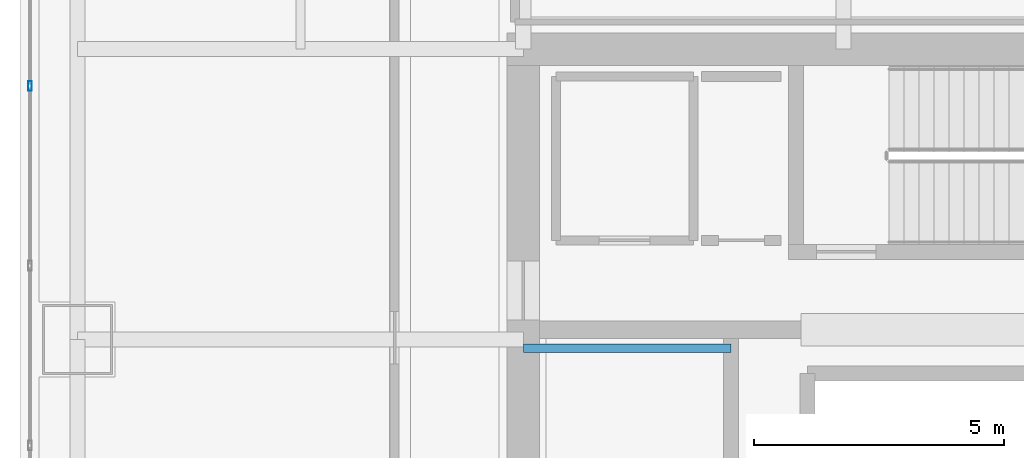
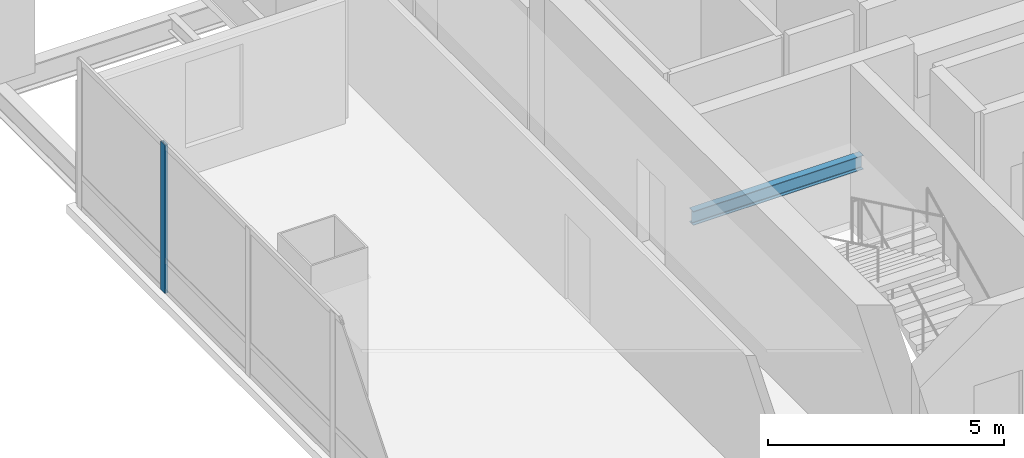
# One storey, part 12 of 36: 1 beam, 1 member, 1 element without a shape of its own.
"""IFC4 building model written with IfcOpenShell, lengths in metres."""

from ifc_helpers import new_model, si_unit, direction, frame, origin, origin_2d, place, context, subcontext, project, spatial, hollow_rectangle, i_section, extrude, material, material_profile, profile_set, type_object, element, aggregate, save


model = new_model("IFC4")

# Units and contexts
model_context = context("Model", 3, precision=1e-05, world=origin(), true_north=direction((0.0, 1.0)))
body_context = subcontext(model_context, "Body", "Model", "MODEL_VIEW")
ifc_project = project(units=[si_unit("LENGTHUNIT", "METRE"), si_unit("AREAUNIT", "SQUARE_METRE"), si_unit("VOLUMEUNIT", "CUBIC_METRE"), si_unit("PLANEANGLEUNIT", "RADIAN"), si_unit("MASSUNIT", "GRAM", prefix="KILO")], contexts=[model_context])

# Site, building, storey
site_placement = place(None, origin())
site = spatial("IfcSite", under=ifc_project, at=site_placement, CompositionType="ELEMENT")
building_placement = place(site_placement, origin())
building = spatial("IfcBuilding", under=site, at=building_placement, Name="Punatoya Terracotta Tower", CompositionType="ELEMENT")
storey_placement = place(building_placement, frame((0.0, 0.0, 228.89990234375)))
storey = spatial("IfcBuildingStorey", under=building, at=storey_placement, Name="L54", CompositionType="ELEMENT", Elevation=228.89990234375)

# Beam
ifc_material_1 = material(Name="Steel S355", Category="steel")
ifc_material_profile_1 = material_profile(ifc_material_1, i_section(OverallWidth=0.169921875, OverallDepth=0.360107421875, WebThickness=0.008056640625, FlangeThickness=0.0126953125, FilletRadius=0.01806640625, at=origin_2d()))
ifc_profile_set_1 = profile_set([ifc_material_profile_1], Name="Steel S355")
beam_type = type_object("IfcBeamType", Name="BM-SEC-360", PredefinedType="JOIST", material=ifc_profile_set_1)
beam_placement = place(storey_placement, frame((-10.199951171875, 3.22998046875, 1.64501953125), z_axis=(1.0, 0.0, 0.0), x_axis=(0.0, 1.0, 0.0)))
element("IfcBeam", 1, at=beam_placement, inside=storey, type_object=beam_type, Name="BM-L54-ST-1-LD1B", PredefinedType="JOIST", context=body_context, shape_type="SweptSolid", body=[
    extrude(i_section(OverallWidth=0.169921875, OverallDepth=0.360107421875, WebThickness=0.008056640625, FlangeThickness=0.0126953125, FilletRadius=0.01806640625, at=origin_2d()), origin(), (0.0, 0.0, 1.0), 4.14990234375),
])

# Curtain wall, member
ifc_material_2 = material(Name="Aluminium 6063-T6 + Double Low-E Glass", Category="aluminium")
curtain_wall_type = type_object("IfcCurtainWallType", Name="CW-M2", PredefinedType="NOTDEFINED", material=ifc_material_2)
curtain_wall_placement = place(storey_placement, origin())
curtain_wall = element("IfcCurtainWall", 2, at=curtain_wall_placement, inside=storey, type_object=curtain_wall_type, Name="L54 Curtain Wall CW-L54-W11-1", PredefinedType="NOTDEFINED")
ifc_material_3 = material(Name="Aluminium 6063-T6", Category="aluminium")
ifc_material_profile_2 = material_profile(ifc_material_3, hollow_rectangle(XDim=0.072021484375, YDim=0.195068359375, WallThickness=0.00439453125, at=origin_2d()))
ifc_profile_set_2 = profile_set([ifc_material_profile_2], Name="Aluminium 6063-T6")
member_type = type_object("IfcMemberType", Name="CW-MUL-M2", PredefinedType="MULLION", material=ifc_profile_set_2)
member_placement = place(storey_placement, frame((-20.050048828125, 8.462646484375, 0.0), z_axis=(0.0, 0.0, 1.0), x_axis=(1.0, 0.0, 0.0)))
member = element("IfcMember", 3, at=member_placement, type_object=member_type, Name="CW-L54-W11-1 Mullion 01", PredefinedType="MULLION", context=body_context, shape_type="SweptSolid", body=[
    extrude(hollow_rectangle(XDim=0.072021484375, YDim=0.195068359375, WallThickness=0.00439453125, at=origin_2d()), origin(), (0.0, 0.0, 1.0), 3.830078125),
])
aggregate(curtain_wall, [member])

save(model, "model.ifc")
